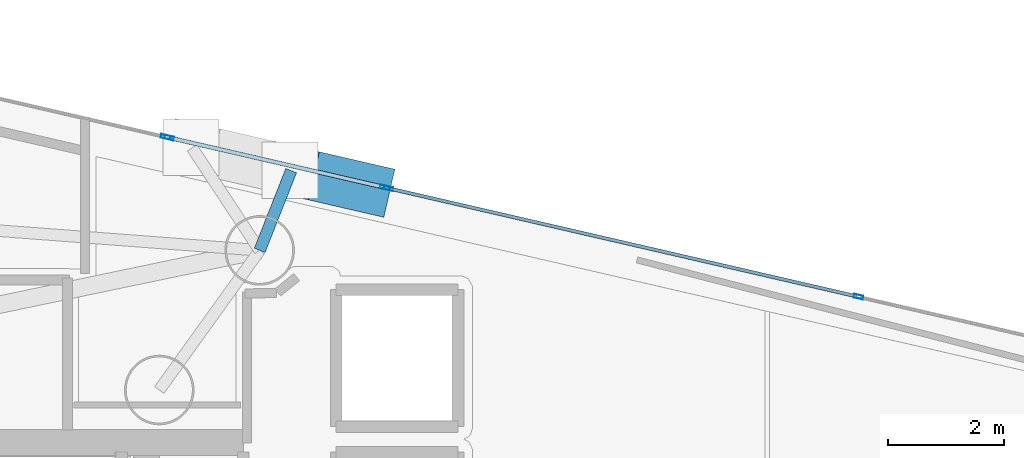
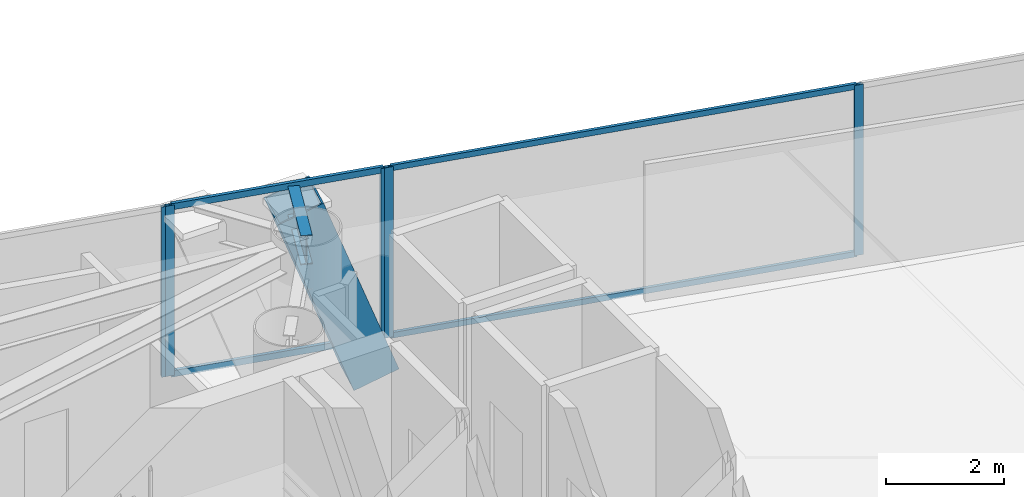
# One storey, part 13 of 22: 10 members, 1 beam, 3 elements without a shape of their own.
"""IFC4 building model written with IfcOpenShell, lengths in metres."""

from ifc_helpers import new_model, si_unit, direction, frame, origin, origin_2d, place, context, subcontext, project, spatial, hollow_rectangle, i_section, extrude, material, layer, layer_set, material_profile, profile_set, type_object, element, aggregate, save


model = new_model("IFC4")

# Units and contexts
model_context = context("Model", 3, precision=1e-05, world=origin(), true_north=direction((0.0, 1.0)))
body_context = subcontext(model_context, "Body", "Model", "MODEL_VIEW")
ifc_project = project(units=[si_unit("LENGTHUNIT", "METRE"), si_unit("AREAUNIT", "SQUARE_METRE"), si_unit("VOLUMEUNIT", "CUBIC_METRE"), si_unit("PLANEANGLEUNIT", "RADIAN"), si_unit("MASSUNIT", "GRAM", prefix="KILO")], contexts=[model_context])

# Site, building, storey
site_placement = place(None, origin())
site = spatial("IfcSite", under=ifc_project, at=site_placement, CompositionType="ELEMENT")
building_placement = place(site_placement, origin())
building = spatial("IfcBuilding", under=site, at=building_placement, Name="Qianvela Tower", CompositionType="ELEMENT")
storey_placement = place(building_placement, frame((0.0, 0.0, 196.60009765625)))
storey = spatial("IfcBuildingStorey", under=building, at=storey_placement, Name="L50", CompositionType="ELEMENT", Elevation=196.60009765625)

# Beam
ifc_material_1 = material(Name="Steel Q355B", Category="steel")
ifc_material_profile_1 = material_profile(ifc_material_1, i_section(OverallWidth=0.199951171875, OverallDepth=0.60009765625, WebThickness=0.010986328125, FlangeThickness=0.01708984375, at=origin_2d()), Name="HN600x200x11x17")
ifc_profile_set_1 = profile_set([ifc_material_profile_1], Name="Steel Q355B")
beam_type = type_object("IfcBeamType", Name="BM-HN600-GIRD", PredefinedType="BEAM", material=ifc_profile_set_1)
beam_placement = place(storey_placement, frame((40.131103515625, 35.9580078125, 3.218017578125), z_axis=(0.367286854439, 0.930107717717, 0.0), x_axis=(-0.930107717717, 0.367286854439, 0.0)))
element("IfcBeam", 1, at=beam_placement, inside=storey, type_object=beam_type, Name="L50 Mega-Brace Column Tie Bracket F1-1", PredefinedType="BEAM", context=body_context, shape_type="SweptSolid", body=[
    extrude(i_section(OverallWidth=0.199951171875, OverallDepth=0.60009765625, WebThickness=0.010986328125, FlangeThickness=0.01708984375, at=origin_2d()), origin(), (0.0, 0.0, 1.0), 1.478271484375),
])

# Curtain wall, members
ifc_material_2 = material(Name="Anodised Architectural Aluminium and Insulated Spandrel Panel", Category="aluminium")
ifc_layer_1 = layer(ifc_material_2, 0.179931640625)
ifc_layer_set_1 = layer_set([ifc_layer_1], Name="Anodised Architectural Aluminium and Insulated Spandrel Panel")
curtain_wall_type_1 = type_object("IfcCurtainWallType", Name="CW-BRACEBAY", PredefinedType="USERDEFINED", material=ifc_layer_set_1)
curtain_wall_1_placement = place(storey_placement, origin())
curtain_wall_1 = element("IfcCurtainWall", 2, at=curtain_wall_1_placement, inside=storey, type_object=curtain_wall_type_1, Name="L50 CW-BRACEBAY Curtain Wall 02B", ObjectType="CURTAIN_WALL_SYSTEM", PredefinedType="USERDEFINED")
ifc_material_3 = material(Name="Anodised Architectural Aluminium 6063-T6", Category="aluminium")
ifc_material_profile_2 = material_profile(ifc_material_3, hollow_rectangle(XDim=0.06494140625, YDim=0.159912109375, WallThickness=0.0048828125, at=origin_2d()), Name="ALU-MULL-65x160")
ifc_profile_set_2 = profile_set([ifc_material_profile_2], Name="Anodised Architectural Aluminium 6063-T6")
member_type_1 = type_object("IfcMemberType", Name="CW-BRACEBAY-MULL", PredefinedType="MULLION", material=ifc_profile_set_2)
member_1_placement = place(storey_placement, frame((42.287841796875, 37.042724609375, 0.0), z_axis=(0.0, 0.0, 1.0), x_axis=(-0.224823741955, -0.974399448406, 0.0)))
member_1 = element("IfcMember", 3, at=member_1_placement, type_object=member_type_1, Name="CW-9 mullion 1", PredefinedType="MULLION", context=body_context, shape_type="SweptSolid", body=[
    extrude(hollow_rectangle(XDim=0.06494140625, YDim=0.159912109375, WallThickness=0.0048828125, at=origin_2d()), origin(), (0.0, 0.0, 1.0), 3.52001953125),
])
member_2_placement = place(storey_placement, frame((38.570556640625, 37.900390625, 0.0), z_axis=(0.0, 0.0, 1.0), x_axis=(-0.224823741955, -0.974399448406, 0.0)))
member_2 = element("IfcMember", 4, at=member_2_placement, type_object=member_type_1, Name="CW-9 mullion 2", PredefinedType="MULLION", context=body_context, shape_type="SweptSolid", body=[
    extrude(hollow_rectangle(XDim=0.06494140625, YDim=0.159912109375, WallThickness=0.0048828125, at=origin_2d()), origin(), (0.0, 0.0, 1.0), 3.52001953125),
])
ifc_material_4 = material(Name="Anodised Architectural Aluminium 6063-T6", Category="aluminium")
ifc_material_profile_3 = material_profile(ifc_material_4, hollow_rectangle(XDim=0.06494140625, YDim=0.1298828125, WallThickness=0.00439453125, at=origin_2d()), Name="ALU-TRAN-65x130")
ifc_profile_set_3 = profile_set([ifc_material_profile_3], Name="Anodised Architectural Aluminium 6063-T6")
member_type_2 = type_object("IfcMemberType", Name="CW-BRACEBAY-TRAN", PredefinedType="USERDEFINED", material=ifc_profile_set_3)
member_3_placement = place(storey_placement, frame((42.25634765625, 37.050048828125, 0.032470703125), z_axis=(-0.974404361028, 0.224802449297, 0.0), x_axis=(-0.224802449297, -0.974404361028, 0.0)))
member_3 = element("IfcMember", 5, at=member_3_placement, type_object=member_type_2, Name="CW-9 transom 1.1", ObjectType="TRANSOM", PredefinedType="USERDEFINED", context=body_context, shape_type="SweptSolid", body=[
    extrude(hollow_rectangle(XDim=0.06494140625, YDim=0.1298828125, WallThickness=0.00439453125, at=origin_2d()), origin(), (0.0, 0.0, 1.0), 3.75),
])
member_4_placement = place(storey_placement, frame((42.25634765625, 37.050048828125, 3.4873046875), z_axis=(-0.974404361028, 0.224802449297, 0.0), x_axis=(-0.224802449297, -0.974404361028, 0.0)))
member_4 = element("IfcMember", 6, at=member_4_placement, type_object=member_type_2, Name="CW-9 transom 1.2", ObjectType="TRANSOM", PredefinedType="USERDEFINED", context=body_context, shape_type="SweptSolid", body=[
    extrude(hollow_rectangle(XDim=0.06494140625, YDim=0.1298828125, WallThickness=0.00439453125, at=origin_2d()), origin(), (0.0, 0.0, 1.0), 3.75),
])
aggregate(curtain_wall_1, [member_1, member_2, member_3, member_4])

ifc_material_5 = material(Name="Anodised Architectural Aluminium and Low-E Glass", Category="aluminium")
ifc_layer_2 = layer(ifc_material_5, 0.159912109375)
ifc_layer_set_2 = layer_set([ifc_layer_2], Name="Anodised Architectural Aluminium and Low-E Glass")
curtain_wall_type_2 = type_object("IfcCurtainWallType", Name="CW-COLIV-Z56", PredefinedType="USERDEFINED", material=ifc_layer_set_2)
curtain_wall_2_placement = place(storey_placement, origin())
curtain_wall_2 = element("IfcCurtainWall", 7, at=curtain_wall_2_placement, inside=storey, type_object=curtain_wall_type_2, Name="L50 CW-COLIV-Z56 Curtain Wall 02A", ObjectType="CURTAIN_WALL_SYSTEM", PredefinedType="USERDEFINED")
ifc_material_6 = material(Name="Anodised Architectural Aluminium 6063-T6", Category="aluminium")
ifc_material_profile_4 = material_profile(ifc_material_6, hollow_rectangle(XDim=0.06494140625, YDim=0.159912109375, WallThickness=0.0048828125, at=origin_2d()), Name="ALU-MULL-65x160")
ifc_profile_set_4 = profile_set([ifc_material_profile_4], Name="Anodised Architectural Aluminium 6063-T6")
member_type_3 = type_object("IfcMemberType", Name="CW-COLIV-Z56-MULL", PredefinedType="MULLION", material=ifc_profile_set_4)
member_5_placement = place(storey_placement, frame((50.455810546875, 35.157958984375, 0.0), z_axis=(0.0, 0.0, 1.0), x_axis=(-0.224831517735, -0.974397654263, 0.0)))
member_5 = element("IfcMember", 8, at=member_5_placement, type_object=member_type_3, Name="CW-5 mullion 2", PredefinedType="MULLION", context=body_context, shape_type="SweptSolid", body=[
    extrude(hollow_rectangle(XDim=0.06494140625, YDim=0.159912109375, WallThickness=0.0048828125, at=origin_2d()), origin(), (0.0, 0.0, 1.0), 3.52001953125),
])
member_6_placement = place(storey_placement, frame((42.351318359375, 37.028076171875, 0.0), z_axis=(0.0, 0.0, 1.0), x_axis=(-0.224831517735, -0.974397654263, 0.0)))
member_6 = element("IfcMember", 9, at=member_6_placement, type_object=member_type_3, Name="CW-5 mullion 3", PredefinedType="MULLION", context=body_context, shape_type="SweptSolid", body=[
    extrude(hollow_rectangle(XDim=0.06494140625, YDim=0.159912109375, WallThickness=0.0048828125, at=origin_2d()), origin(), (0.0, 0.0, 1.0), 3.52001953125),
])

# Curtain wall, member
curtain_wall_3_placement = place(storey_placement, origin())
curtain_wall_3 = element("IfcCurtainWall", 10, at=curtain_wall_3_placement, inside=storey, type_object=curtain_wall_type_2, Name="L50 CW-COLIV-Z56 Curtain Wall 02C", ObjectType="CURTAIN_WALL_SYSTEM", PredefinedType="USERDEFINED")
member_7_placement = place(storey_placement, frame((38.50732421875, 37.9150390625, 0.0), z_axis=(0.0, 0.0, 1.0), x_axis=(-0.224835765484, -0.974396674132, 0.0)))
member_7 = element("IfcMember", 11, at=member_7_placement, type_object=member_type_3, Name="CW-5 mullion 1", PredefinedType="MULLION", context=body_context, shape_type="SweptSolid", body=[
    extrude(hollow_rectangle(XDim=0.06494140625, YDim=0.159912109375, WallThickness=0.0048828125, at=origin_2d()), origin(), (0.0, 0.0, 1.0), 3.52001953125),
])
aggregate(curtain_wall_3, [member_7])

# Member
ifc_material_7 = material(Name="Anodised Architectural Aluminium 6063-T6", Category="aluminium")
ifc_material_profile_5 = material_profile(ifc_material_7, hollow_rectangle(XDim=0.06005859375, YDim=0.114990234375, WallThickness=0.00390625, at=origin_2d()), Name="ALU-TRAN-60x115")
ifc_profile_set_5 = profile_set([ifc_material_profile_5], Name="Anodised Architectural Aluminium 6063-T6")
member_type_4 = type_object("IfcMemberType", Name="CW-COLIV-Z56-TRAN", PredefinedType="USERDEFINED", material=ifc_profile_set_5)
member_8_placement = place(storey_placement, frame((50.424072265625, 35.165283203125, 0.02978515625), z_axis=(-0.974395184463, 0.224842221336, 0.0), x_axis=(-0.224842221336, -0.974395184463, 0.0)))
member_8 = element("IfcMember", 12, at=member_8_placement, type_object=member_type_4, Name="CW-5 transom 2.1", ObjectType="TRANSOM", PredefinedType="USERDEFINED", context=body_context, shape_type="SweptSolid", body=[
    extrude(hollow_rectangle(XDim=0.06005859375, YDim=0.114990234375, WallThickness=0.00390625, at=origin_2d()), origin(), (0.0, 0.0, 1.0), 8.252197265625),
])

member_9_placement = place(storey_placement, frame((50.424072265625, 35.165283203125, 3.489990234375), z_axis=(-0.974395184463, 0.224842221336, 0.0), x_axis=(-0.224842221336, -0.974395184463, 0.0)))
member_9 = element("IfcMember", 13, at=member_9_placement, type_object=member_type_4, Name="CW-5 transom 2.2", ObjectType="TRANSOM", PredefinedType="USERDEFINED", context=body_context, shape_type="SweptSolid", body=[
    extrude(hollow_rectangle(XDim=0.06005859375, YDim=0.114990234375, WallThickness=0.00390625, at=origin_2d()), origin(), (0.0, 0.0, 1.0), 8.252197265625),
])

aggregate(curtain_wall_2, [member_5, member_6, member_8, member_9])

ifc_material_8 = material(Name="Steel Q420GJC", Category="steel")
ifc_material_profile_6 = material_profile(ifc_material_8, hollow_rectangle(XDim=0.85009765625, YDim=0.85009765625, WallThickness=0.031982421875, at=origin_2d()), Name="MBOX-850x850x32")
ifc_profile_set_6 = profile_set([ifc_material_profile_6], Name="Steel Q420GJC")
member_type_5 = type_object("IfcMemberType", Name="MBR-MBRACE-850", PredefinedType="BRACE", material=ifc_profile_set_6)
member_10_placement = place(storey_placement, frame((41.977294921875, 37.0322265625, -0.482177734375), z_axis=(-0.331229400777, 0.076447100367, 0.940448257432), x_axis=(-0.224886169392, -0.974385042381, 0.0)))
element("IfcMember", 14, at=member_10_placement, inside=storey, type_object=member_type_5, Name="L50 Tier 8 Exterior Mega-Brace F1A", PredefinedType="BRACE", context=body_context, shape_type="SweptSolid", body=[
    extrude(hollow_rectangle(XDim=0.85009765625, YDim=0.85009765625, WallThickness=0.031982421875, at=origin_2d()), origin(), (0.0, 0.0, 1.0), 3.9345703125),
])

save(model, "model.ifc")
